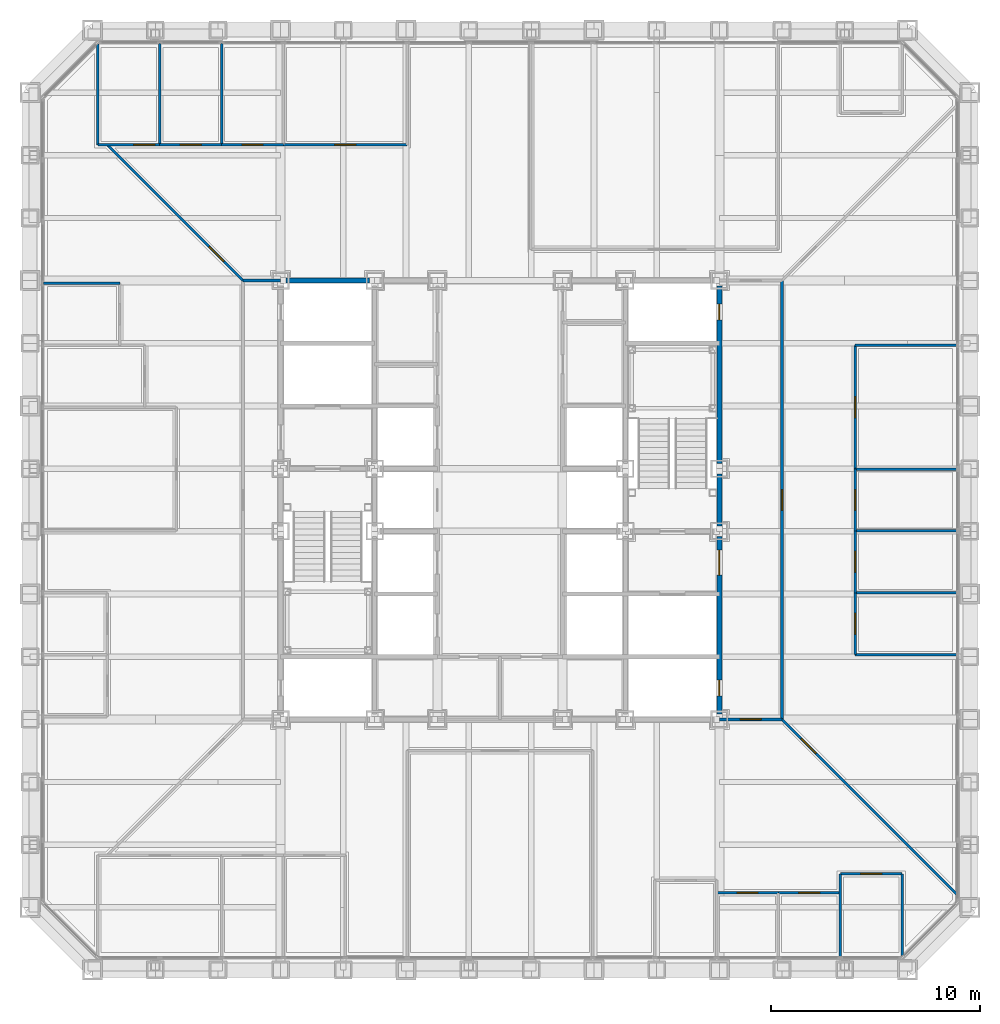
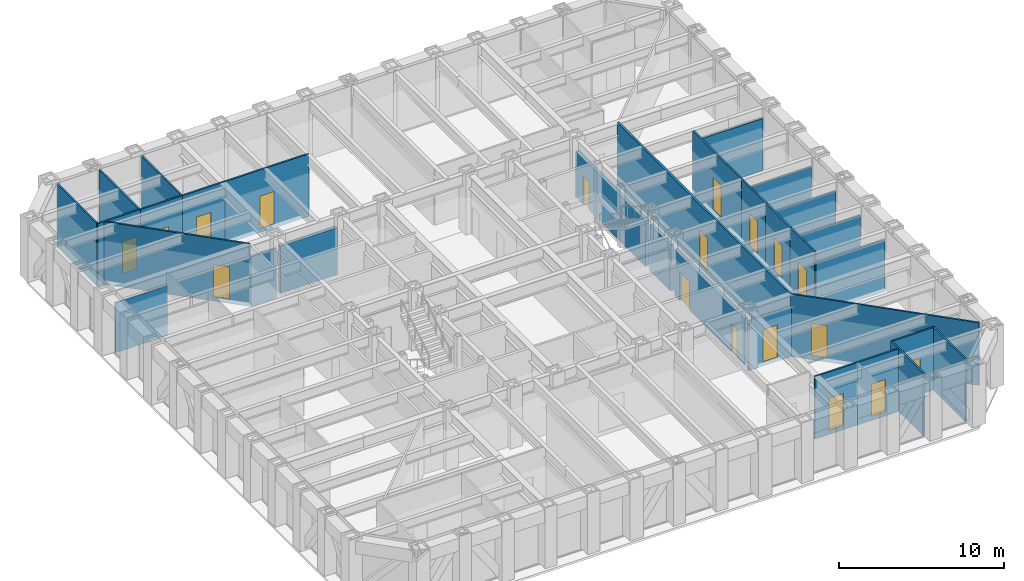
# One storey, part 10 of 17: 31 walls, 18 doors, 18 openings.
"""IFC4 building model written with IfcOpenShell, lengths in metres."""

from ifc_helpers import new_model, si_unit, direction, frame, frame_2d, origin, place, context, subcontext, project, spatial, rectangle, extrude, material, layer, layer_set, type_object, element, fill, save


model = new_model("IFC4")

# Units and contexts
model_context = context("Model", 3, precision=1e-05, world=origin(), true_north=direction((0.0, 1.0)))
body_context = subcontext(model_context, "Body", "Model", "MODEL_VIEW")
ifc_project = project(units=[si_unit("LENGTHUNIT", "METRE"), si_unit("AREAUNIT", "SQUARE_METRE"), si_unit("VOLUMEUNIT", "CUBIC_METRE"), si_unit("PLANEANGLEUNIT", "RADIAN"), si_unit("MASSUNIT", "GRAM", prefix="KILO")], contexts=[model_context])

# Site, building, storey
site_placement = place(None, origin())
site = spatial("IfcSite", under=ifc_project, at=site_placement, CompositionType="ELEMENT")
building_placement = place(site_placement, origin())
building = spatial("IfcBuilding", under=site, at=building_placement, Name="Chuquiago Exchange Tower", CompositionType="ELEMENT")
storey_placement = place(building_placement, frame((0.0, 0.0, 91.800048828125)))
storey = spatial("IfcBuildingStorey", under=building, at=storey_placement, Name="L19", CompositionType="ELEMENT", Elevation=91.800048828125)

# Wall
ifc_material_1 = material(Name="Concrete masonry, fully grouted", Category="masonry")
ifc_layer_1 = layer(ifc_material_1, 0.25)
ifc_layer_set_1 = layer_set([ifc_layer_1], Name="W1 core wall 250")
wall_type_1 = type_object("IfcWallType", Name="W1 core wall 250", PredefinedType="SOLIDWALL", material=ifc_layer_set_1)
wall_1_placement = place(storey_placement, frame((12.25, 33.0, 0.0), z_axis=(0.0, 0.0, 1.0), x_axis=(1.0, 0.0, 0.0)))
element("IfcWall", 1, at=wall_1_placement, inside=storey, type_object=wall_type_1, Name="CW-L19-11-0", PredefinedType="SOLIDWALL", context=body_context, shape_type="SweptSolid", body=[
    extrude(rectangle(XDim=4.0, YDim=0.25, at=frame_2d((2.0, 0.0))), origin(), (0.0, 0.0, 1.0), 3.4814453125),
])

# Wall, openings, doors
wall_2_placement = place(storey_placement, frame((33.0, 12.25, 0.0), z_axis=(0.0, 0.0, 1.0), x_axis=(0.0, 1.0, 0.0)))
wall_2 = element("IfcWall", 2, at=wall_2_placement, inside=storey, type_object=wall_type_1, Name="CW-L19-25-0", PredefinedType="SOLIDWALL", context=body_context, shape_type="SweptSolid", body=[
    extrude(rectangle(XDim=8.5, YDim=0.25, at=frame_2d((4.25, 0.0))), origin(), (0.0, 0.0, 1.0), 3.412841796875),
])
opening_1_placement = place(wall_2_placement, frame((6.64990234375, 0.0, 0.0)))
opening_1 = element("IfcOpeningElement", 3, at=opening_1_placement, cuts=wall_2, Name="Opening L19-004", PredefinedType="OPENING", context=body_context, shape_type="SweptSolid", body=[
    extrude(rectangle(XDim=1.199951171875, YDim=2.10009765625, at=frame_2d((0.60009765625, 1.050048828125))), frame((0.0, 0.135009765625, 0.0), z_axis=(0.0, -1.0, 0.0), x_axis=(1.0, 0.0, 0.0)), (0.0, 0.0, 1.0), 0.27001953125),
])
opening_2_placement = place(wall_2_placement, frame((0.875, 0.0, 0.0)))
opening_2 = element("IfcOpeningElement", 4, at=opening_2_placement, cuts=wall_2, Name="Opening L19-009", PredefinedType="OPENING", context=body_context, shape_type="SweptSolid", body=[
    extrude(rectangle(XDim=0.75, YDim=2.10009765625, at=frame_2d((0.375, 1.050048828125))), frame((0.0, 0.135009765625, 0.0), z_axis=(0.0, -1.0, 0.0), x_axis=(1.0, 0.0, 0.0)), (0.0, 0.0, 1.0), 0.27001953125),
])
ifc_material_2 = material(Name="Steel door, painted", Category="steel")
door_type_1 = type_object("IfcDoorType", Name="D5 firefighting lobby door 1200x2100", OperationType="SINGLE_SWING_LEFT", PredefinedType="DOOR", material=ifc_material_2)
door_1_placement = place(opening_1_placement, origin())
door_1 = element("IfcDoor", 5, at=door_1_placement, inside=storey, type_object=door_type_1, Name="Firefighting lobby 2 door", OperationType="SINGLE_SWING_RIGHT", OverallHeight=2.10009765625, OverallWidth=1.199951171875, PredefinedType="DOOR", context=body_context, shape_type="SweptSolid", body=[
    extrude(rectangle(XDim=1.199951171875, YDim=2.10009765625, at=frame_2d((0.60009765625, 1.050048828125))), frame((0.0, 0.02490234375, 0.0), z_axis=(0.0, -1.0, 0.0), x_axis=(1.0, 0.0, 0.0)), (0.0, 0.0, 1.0), 0.050048828125),
])
fill(opening_1, door_1)
ifc_material_3 = material(Name="Steel door, painted", Category="steel")
door_type_2 = type_object("IfcDoorType", Name="D6 riser access door 750x2100", OperationType="SINGLE_SWING_LEFT", PredefinedType="DOOR", material=ifc_material_3)
door_2_placement = place(opening_2_placement, frame((0.75, 0.0, 0.0), z_axis=(0.0, 0.0, 1.0), x_axis=(-1.0, 0.0, 0.0)))
door_2 = element("IfcDoor", 6, at=door_2_placement, inside=storey, type_object=door_type_2, Name="Riser RE1 door", OperationType="SINGLE_SWING_RIGHT", OverallHeight=2.10009765625, OverallWidth=0.75, PredefinedType="DOOR", context=body_context, shape_type="SweptSolid", body=[
    extrude(rectangle(XDim=0.75, YDim=2.10009765625, at=frame_2d((0.375, 1.050048828125))), frame((0.0, 0.02490234375, 0.0), z_axis=(0.0, -1.0, 0.0), x_axis=(1.0, 0.0, 0.0)), (0.0, 0.0, 1.0), 0.050048828125),
])
fill(opening_2, door_2)

# Wall
wall_3_placement = place(storey_placement, frame((33.0, 21.25, 0.0), z_axis=(0.0, 0.0, 1.0), x_axis=(0.0, 1.0, 0.0)))
element("IfcWall", 7, at=wall_3_placement, inside=storey, type_object=wall_type_1, Name="CW-L19-25-1", PredefinedType="SOLIDWALL", context=body_context, shape_type="SweptSolid", body=[
    extrude(rectangle(XDim=2.5, YDim=0.25, at=frame_2d((1.25, 0.0))), origin(), (0.0, 0.0, 1.0), 3.412841796875),
])

# Wall, opening, door
wall_4_placement = place(storey_placement, frame((33.0, 24.25, 0.0), z_axis=(0.0, 0.0, 1.0), x_axis=(0.0, 1.0, 0.0)))
wall_4 = element("IfcWall", 8, at=wall_4_placement, inside=storey, type_object=wall_type_1, Name="CW-L19-25-2", PredefinedType="SOLIDWALL", context=body_context, shape_type="SweptSolid", body=[
    extrude(rectangle(XDim=8.5, YDim=0.25, at=frame_2d((4.25, 0.0))), origin(), (0.0, 0.0, 1.0), 3.412841796875),
])
opening_3_placement = place(wall_4_placement, frame((6.875, 0.0, 0.0)))
opening_3 = element("IfcOpeningElement", 9, at=opening_3_placement, cuts=wall_4, Name="Opening L19-010", PredefinedType="OPENING", context=body_context, shape_type="SweptSolid", body=[
    extrude(rectangle(XDim=0.75, YDim=2.10009765625, at=frame_2d((0.375, 1.050048828125))), frame((0.0, 0.135009765625, 0.0), z_axis=(0.0, -1.0, 0.0), x_axis=(1.0, 0.0, 0.0)), (0.0, 0.0, 1.0), 0.27001953125),
])
door_3_placement = place(opening_3_placement, frame((0.75, 0.0, 0.0), z_axis=(0.0, 0.0, 1.0), x_axis=(-1.0, 0.0, 0.0)))
door_3 = element("IfcDoor", 10, at=door_3_placement, inside=storey, type_object=door_type_2, Name="Riser RE2 door", OperationType="SINGLE_SWING_LEFT", OverallHeight=2.10009765625, OverallWidth=0.75, PredefinedType="DOOR", context=body_context, shape_type="SweptSolid", body=[
    extrude(rectangle(XDim=0.75, YDim=2.10009765625, at=frame_2d((0.375, 1.050048828125))), frame((0.0, 0.02490234375, 0.0), z_axis=(0.0, -1.0, 0.0), x_axis=(1.0, 0.0, 0.0)), (0.0, 0.0, 1.0), 0.050048828125),
])
fill(opening_3, door_3)

# Wall
ifc_material_4 = material(Name="Gypsum board on steel studs, acoustic insulation", Category="steel")
ifc_layer_2 = layer(ifc_material_4, 0.14990234375)
ifc_layer_set_2 = layer_set([ifc_layer_2], Name="W11 corridor wall 150")
wall_type_2 = type_object("IfcWallType", Name="W11 corridor wall 150", PredefinedType="PARTITIONING", material=ifc_layer_set_2)
wall_5_placement = place(storey_placement, frame((10.199951171875, 33.0, -0.300048828125), z_axis=(0.0, 0.0, 1.0), x_axis=(1.0, 0.0, 0.0)))
element("IfcWall", 11, at=wall_5_placement, inside=storey, type_object=wall_type_2, Name="PW-L19-GWN0", PredefinedType="PARTITIONING", context=body_context, shape_type="SweptSolid", body=[
    extrude(rectangle(XDim=1.800048828125, YDim=0.14990234375, at=frame_2d((0.89990234375, 0.0))), origin(), (0.0, 0.0, 1.0), 3.692626953125),
])

# Wall, opening, door
wall_6_placement = place(storey_placement, frame((36.0, 12.0, -0.300048828125), z_axis=(0.0, 0.0, 1.0), x_axis=(0.0, 1.0, 0.0)))
wall_6 = element("IfcWall", 12, at=wall_6_placement, inside=storey, type_object=wall_type_2, Name="PW-L19-GE0", PredefinedType="PARTITIONING", context=body_context, shape_type="SweptSolid", body=[
    extrude(rectangle(XDim=21.0, YDim=0.14990234375, at=frame_2d((10.5, 0.0))), origin(), (0.0, 0.0, 1.0), 4.639892578125),
])
opening_4_placement = place(wall_6_placement, frame((10.0, 0.0, 0.300048828125)))
opening_4 = element("IfcOpeningElement", 13, at=opening_4_placement, cuts=wall_6, Name="Opening L19-045", PredefinedType="OPENING", context=body_context, shape_type="SweptSolid", body=[
    extrude(rectangle(XDim=1.0, YDim=2.39990234375, at=frame_2d((0.5, 1.199951171875))), frame((0.0, 0.0849609375, 0.0), z_axis=(0.0, -1.0, 0.0), x_axis=(1.0, 0.0, 0.0)), (0.0, 0.0, 1.0), 0.169921875),
])
ifc_material_5 = material(Name="Timber door, laminate faced", Category="wood")
door_type_3 = type_object("IfcDoorType", Name="D9 room door 1000x2400", OperationType="SINGLE_SWING_LEFT", PredefinedType="DOOR", material=ifc_material_5)
door_4_placement = place(opening_4_placement, frame((1.0, 0.0, 0.0), z_axis=(0.0, 0.0, 1.0), x_axis=(-1.0, 0.0, 0.0)))
door_4 = element("IfcDoor", 14, at=door_4_placement, inside=storey, type_object=door_type_3, Name="Team area door", OperationType="SINGLE_SWING_RIGHT", OverallHeight=2.39990234375, OverallWidth=1.0, PredefinedType="DOOR", context=body_context, shape_type="SweptSolid", body=[
    extrude(rectangle(XDim=1.0, YDim=2.39990234375, at=frame_2d((0.5, 1.199951171875))), frame((0.0, 0.02490234375, 0.0), z_axis=(0.0, -1.0, 0.0), x_axis=(1.0, 0.0, 0.0)), (0.0, 0.0, 1.0), 0.050048828125),
])
fill(opening_4, door_4)

wall_7_placement = place(storey_placement, frame((33.0, 12.0, -0.300048828125), z_axis=(0.0, 0.0, 1.0), x_axis=(1.0, 0.0, 0.0)))
wall_7 = element("IfcWall", 15, at=wall_7_placement, inside=storey, type_object=wall_type_2, Name="PW-L19-GES0", PredefinedType="PARTITIONING", context=body_context, shape_type="SweptSolid", body=[
    extrude(rectangle(XDim=3.0, YDim=0.14990234375, at=frame_2d((1.5, 0.0))), origin(), (0.0, 0.0, 1.0), 3.692626953125),
])
opening_5_placement = place(wall_7_placement, frame((1.0, 0.0, 0.300048828125)))
opening_5 = element("IfcOpeningElement", 16, at=opening_5_placement, cuts=wall_7, Name="Opening L19-047", PredefinedType="OPENING", context=body_context, shape_type="SweptSolid", body=[
    extrude(rectangle(XDim=1.0, YDim=2.39990234375, at=frame_2d((0.5, 1.199951171875))), frame((0.0, 0.0849609375, 0.0), z_axis=(0.0, -1.0, 0.0), x_axis=(1.0, 0.0, 0.0)), (0.0, 0.0, 1.0), 0.169921875),
])
door_5_placement = place(opening_5_placement, frame((1.0, 0.0, 0.0), z_axis=(0.0, 0.0, 1.0), x_axis=(-1.0, 0.0, 0.0)))
door_5 = element("IfcDoor", 17, at=door_5_placement, inside=storey, type_object=door_type_3, Name="Team area door", OperationType="SINGLE_SWING_RIGHT", OverallHeight=2.39990234375, OverallWidth=1.0, PredefinedType="DOOR", context=body_context, shape_type="SweptSolid", body=[
    extrude(rectangle(XDim=1.0, YDim=2.39990234375, at=frame_2d((0.5, 1.199951171875))), frame((0.0, 0.02490234375, 0.0), z_axis=(0.0, -1.0, 0.0), x_axis=(1.0, 0.0, 0.0)), (0.0, 0.0, 1.0), 0.050048828125),
])
fill(opening_5, door_5)

# Walls
ifc_material_6 = material(Name="Gypsum board on steel studs", Category="steel")
ifc_layer_3 = layer(ifc_material_6, 0.1201171875)
ifc_layer_set_3 = layer_set([ifc_layer_3], Name="W4 partition 120")
wall_type_3 = type_object("IfcWallType", Name="W4 partition 120", PredefinedType="PARTITIONING", material=ifc_layer_set_3)
wall_8_placement = place(storey_placement, frame((38.789794921875, 0.657470703125, -0.300048828125), z_axis=(0.0, 0.0, 1.0), x_axis=(0.0, 1.0, 0.0)))
element("IfcWall", 18, at=wall_8_placement, inside=storey, type_object=wall_type_3, Name="PW-L19-S03879", PredefinedType="PARTITIONING", context=body_context, shape_type="SweptSolid", body=[
    extrude(rectangle(XDim=3.942626953125, YDim=0.1201171875, at=frame_2d((1.97119140625, 0.0))), origin(), (0.0, 0.0, 1.0), 4.639892578125),
])
wall_9_placement = place(storey_placement, frame((41.75146484375, 0.666015625, -0.300048828125), z_axis=(0.0, 0.0, 1.0), x_axis=(0.0, 1.0, 0.0)))
element("IfcWall", 19, at=wall_9_placement, inside=storey, type_object=wall_type_3, Name="PW-L19-S04175", PredefinedType="PARTITIONING", context=body_context, shape_type="SweptSolid", body=[
    extrude(rectangle(XDim=3.93408203125, YDim=0.1201171875, at=frame_2d((1.967041015625, 0.0))), origin(), (0.0, 0.0, 1.0), 4.639892578125),
])

# Wall, opening, door
wall_10_placement = place(storey_placement, frame((32.8662109375, 3.699951171875, -0.300048828125), z_axis=(0.0, 0.0, 1.0), x_axis=(1.0, 0.0, 0.0)))
wall_10 = element("IfcWall", 20, at=wall_10_placement, inside=storey, type_object=wall_type_3, Name="PW-L19-SF03287", PredefinedType="PARTITIONING", context=body_context, shape_type="SweptSolid", body=[
    extrude(rectangle(XDim=2.961669921875, YDim=0.1201171875, at=frame_2d((1.48095703125, 0.0))), origin(), (0.0, 0.0, 1.0), 4.639892578125),
])
opening_6_placement = place(wall_10_placement, frame((0.98095703125, 0.0, 0.300048828125)))
opening_6 = element("IfcOpeningElement", 21, at=opening_6_placement, cuts=wall_10, Name="Opening L19-026", PredefinedType="OPENING", context=body_context, shape_type="SweptSolid", body=[
    extrude(rectangle(XDim=1.0, YDim=2.39990234375, at=frame_2d((0.5, 1.199951171875))), frame((0.0, 0.070068359375, 0.0), z_axis=(0.0, -1.0, 0.0), x_axis=(1.0, 0.0, 0.0)), (0.0, 0.0, 1.0), 0.14013671875),
])
ifc_material_7 = material(Name="Timber frame door, full height glazed panel", Category="wood")
door_type_4 = type_object("IfcDoorType", Name="D14 glazed meeting room door 1000x2400", OperationType="SINGLE_SWING_LEFT", PredefinedType="DOOR", material=ifc_material_7)
door_6_placement = place(opening_6_placement, frame((1.0, 0.0, 0.0), z_axis=(0.0, 0.0, 1.0), x_axis=(-1.0, 0.0, 0.0)))
door_6 = element("IfcDoor", 22, at=door_6_placement, inside=storey, type_object=door_type_4, Name="Focus room door", OperationType="SINGLE_SWING_LEFT", OverallHeight=2.39990234375, OverallWidth=1.0, PredefinedType="DOOR", context=body_context, shape_type="SweptSolid", body=[
    extrude(rectangle(XDim=1.0, YDim=2.39990234375, at=frame_2d((0.5, 1.199951171875))), frame((0.0, 0.02490234375, 0.0), z_axis=(0.0, -1.0, 0.0), x_axis=(1.0, 0.0, 0.0)), (0.0, 0.0, 1.0), 0.050048828125),
])
fill(opening_6, door_6)

wall_11_placement = place(storey_placement, frame((35.827880859375, 3.699951171875, -0.300048828125), z_axis=(0.0, 0.0, 1.0), x_axis=(1.0, 0.0, 0.0)))
wall_11 = element("IfcWall", 23, at=wall_11_placement, inside=storey, type_object=wall_type_3, Name="PW-L19-SF03583", PredefinedType="PARTITIONING", context=body_context, shape_type="SweptSolid", body=[
    extrude(rectangle(XDim=2.9619140625, YDim=0.1201171875, at=frame_2d((1.48095703125, 0.0))), origin(), (0.0, 0.0, 1.0), 4.639892578125),
])
opening_7_placement = place(wall_11_placement, frame((0.98095703125, 0.0, 0.300048828125)))
opening_7 = element("IfcOpeningElement", 24, at=opening_7_placement, cuts=wall_11, Name="Opening L19-027", PredefinedType="OPENING", context=body_context, shape_type="SweptSolid", body=[
    extrude(rectangle(XDim=1.0, YDim=2.39990234375, at=frame_2d((0.5, 1.199951171875))), frame((0.0, 0.070068359375, 0.0), z_axis=(0.0, -1.0, 0.0), x_axis=(1.0, 0.0, 0.0)), (0.0, 0.0, 1.0), 0.14013671875),
])
door_7_placement = place(opening_7_placement, frame((1.0, 0.0, 0.0), z_axis=(0.0, 0.0, 1.0), x_axis=(-1.0, 0.0, 0.0)))
door_7 = element("IfcDoor", 25, at=door_7_placement, inside=storey, type_object=door_type_4, Name="Focus room door", OperationType="SINGLE_SWING_RIGHT", OverallHeight=2.39990234375, OverallWidth=1.0, PredefinedType="DOOR", context=body_context, shape_type="SweptSolid", body=[
    extrude(rectangle(XDim=1.0, YDim=2.39990234375, at=frame_2d((0.5, 1.199951171875))), frame((0.0, 0.02490234375, 0.0), z_axis=(0.0, -1.0, 0.0), x_axis=(1.0, 0.0, 0.0)), (0.0, 0.0, 1.0), 0.050048828125),
])
fill(opening_7, door_7)

wall_12_placement = place(storey_placement, frame((38.789794921875, 4.60009765625, -0.300048828125), z_axis=(0.0, 0.0, 1.0), x_axis=(1.0, 0.0, 0.0)))
wall_12 = element("IfcWall", 26, at=wall_12_placement, inside=storey, type_object=wall_type_3, Name="PW-L19-SF03879", PredefinedType="PARTITIONING", context=body_context, shape_type="SweptSolid", body=[
    extrude(rectangle(XDim=2.961669921875, YDim=0.1201171875, at=frame_2d((1.48095703125, 0.0))), origin(), (0.0, 0.0, 1.0), 4.639892578125),
])
opening_8_placement = place(wall_12_placement, frame((0.98095703125, 0.0, 0.300048828125)))
opening_8 = element("IfcOpeningElement", 27, at=opening_8_placement, cuts=wall_12, Name="Opening L19-028", PredefinedType="OPENING", context=body_context, shape_type="SweptSolid", body=[
    extrude(rectangle(XDim=1.0, YDim=2.39990234375, at=frame_2d((0.5, 1.199951171875))), frame((0.0, 0.070068359375, 0.0), z_axis=(0.0, -1.0, 0.0), x_axis=(1.0, 0.0, 0.0)), (0.0, 0.0, 1.0), 0.14013671875),
])
door_8_placement = place(opening_8_placement, frame((1.0, 0.0, 0.0), z_axis=(0.0, 0.0, 1.0), x_axis=(-1.0, 0.0, 0.0)))
door_8 = element("IfcDoor", 28, at=door_8_placement, inside=storey, type_object=door_type_3, Name="Comms room door", OperationType="SINGLE_SWING_LEFT", OverallHeight=2.39990234375, OverallWidth=1.0, PredefinedType="DOOR", context=body_context, shape_type="SweptSolid", body=[
    extrude(rectangle(XDim=1.0, YDim=2.39990234375, at=frame_2d((0.5, 1.199951171875))), frame((0.0, 0.02490234375, 0.0), z_axis=(0.0, -1.0, 0.0), x_axis=(1.0, 0.0, 0.0)), (0.0, 0.0, 1.0), 0.050048828125),
])
fill(opening_8, door_8)

# Walls
for number, where, z_axis, x_axis, name in (
    (29, (44.342529296875, 15.095703125, -0.300048828125), (0.0, 0.0, 1.0), (-1.0, 0.0, 0.0), "PW-L19-E01510"),
    (30, (44.342529296875, 18.057373046875, -0.300048828125), (0.0, 0.0, 1.0), (-1.0, 0.0, 0.0), "PW-L19-E01806"),
    (31, (44.342529296875, 21.01904296875, -0.300048828125), (0.0, 0.0, 1.0), (-1.0, 0.0, 0.0), "PW-L19-E02102"),
    (32, (44.342529296875, 23.98095703125, -0.300048828125), (0.0, 0.0, 1.0), (-1.0, 0.0, 0.0), "PW-L19-E02398"),
    (33, (44.342529296875, 29.904296875, -0.300048828125), (0.0, 0.0, 1.0), (-1.0, 0.0, 0.0), "PW-L19-E02990"),
):
    element("IfcWall", number, at=place(storey_placement, frame(where, z_axis=z_axis, x_axis=x_axis)), inside=storey, type_object=wall_type_3, Name=name, PredefinedType="PARTITIONING", context=body_context, shape_type="SweptSolid", body=[
        extrude(rectangle(XDim=4.842529296875, YDim=0.1201171875, at=frame_2d((2.42138671875, 0.0))), origin(), (0.0, 0.0, 1.0), 3.8779296875),
    ])

# Wall, opening, door
wall_13_placement = place(storey_placement, frame((39.5, 15.095703125, -0.300048828125), z_axis=(0.0, 0.0, 1.0), x_axis=(0.0, 1.0, 0.0)))
wall_13 = element("IfcWall", 34, at=wall_13_placement, inside=storey, type_object=wall_type_3, Name="PW-L19-EF01510", PredefinedType="PARTITIONING", context=body_context, shape_type="SweptSolid", body=[
    extrude(rectangle(XDim=2.961669921875, YDim=0.1201171875, at=frame_2d((1.48095703125, 0.0))), origin(), (0.0, 0.0, 1.0), 4.639892578125),
])
opening_9_placement = place(wall_13_placement, frame((0.98095703125, 0.0, 0.300048828125)))
opening_9 = element("IfcOpeningElement", 35, at=opening_9_placement, cuts=wall_13, Name="Opening L19-029", PredefinedType="OPENING", context=body_context, shape_type="SweptSolid", body=[
    extrude(rectangle(XDim=1.0, YDim=2.39990234375, at=frame_2d((0.5, 1.199951171875))), frame((0.0, 0.070068359375, 0.0), z_axis=(0.0, -1.0, 0.0), x_axis=(1.0, 0.0, 0.0)), (0.0, 0.0, 1.0), 0.14013671875),
])
door_9_placement = place(opening_9_placement, frame((1.0, 0.0, 0.0), z_axis=(0.0, 0.0, 1.0), x_axis=(-1.0, 0.0, 0.0)))
door_9 = element("IfcDoor", 36, at=door_9_placement, inside=storey, type_object=door_type_3, Name="Office door", OperationType="SINGLE_SWING_RIGHT", OverallHeight=2.39990234375, OverallWidth=1.0, PredefinedType="DOOR", context=body_context, shape_type="SweptSolid", body=[
    extrude(rectangle(XDim=1.0, YDim=2.39990234375, at=frame_2d((0.5, 1.199951171875))), frame((0.0, 0.02490234375, 0.0), z_axis=(0.0, -1.0, 0.0), x_axis=(1.0, 0.0, 0.0)), (0.0, 0.0, 1.0), 0.050048828125),
])
fill(opening_9, door_9)

wall_14_placement = place(storey_placement, frame((39.5, 18.057373046875, -0.300048828125), z_axis=(0.0, 0.0, 1.0), x_axis=(0.0, 1.0, 0.0)))
wall_14 = element("IfcWall", 37, at=wall_14_placement, inside=storey, type_object=wall_type_3, Name="PW-L19-EF01806", PredefinedType="PARTITIONING", context=body_context, shape_type="SweptSolid", body=[
    extrude(rectangle(XDim=2.961669921875, YDim=0.1201171875, at=frame_2d((1.48095703125, 0.0))), origin(), (0.0, 0.0, 1.0), 4.639892578125),
])
opening_10_placement = place(wall_14_placement, frame((0.98095703125, 0.0, 0.300048828125)))
opening_10 = element("IfcOpeningElement", 38, at=opening_10_placement, cuts=wall_14, Name="Opening L19-030", PredefinedType="OPENING", context=body_context, shape_type="SweptSolid", body=[
    extrude(rectangle(XDim=1.0, YDim=2.39990234375, at=frame_2d((0.5, 1.199951171875))), frame((0.0, 0.070068359375, 0.0), z_axis=(0.0, -1.0, 0.0), x_axis=(1.0, 0.0, 0.0)), (0.0, 0.0, 1.0), 0.14013671875),
])
door_10_placement = place(opening_10_placement, frame((1.0, 0.0, 0.0), z_axis=(0.0, 0.0, 1.0), x_axis=(-1.0, 0.0, 0.0)))
door_10 = element("IfcDoor", 39, at=door_10_placement, inside=storey, type_object=door_type_3, Name="Office door", OperationType="SINGLE_SWING_LEFT", OverallHeight=2.39990234375, OverallWidth=1.0, PredefinedType="DOOR", context=body_context, shape_type="SweptSolid", body=[
    extrude(rectangle(XDim=1.0, YDim=2.39990234375, at=frame_2d((0.5, 1.199951171875))), frame((0.0, 0.02490234375, 0.0), z_axis=(0.0, -1.0, 0.0), x_axis=(1.0, 0.0, 0.0)), (0.0, 0.0, 1.0), 0.050048828125),
])
fill(opening_10, door_10)

wall_15_placement = place(storey_placement, frame((39.5, 21.01904296875, -0.300048828125), z_axis=(0.0, 0.0, 1.0), x_axis=(0.0, 1.0, 0.0)))
wall_15 = element("IfcWall", 40, at=wall_15_placement, inside=storey, type_object=wall_type_3, Name="PW-L19-EF02102", PredefinedType="PARTITIONING", context=body_context, shape_type="SweptSolid", body=[
    extrude(rectangle(XDim=2.9619140625, YDim=0.1201171875, at=frame_2d((1.48095703125, 0.0))), origin(), (0.0, 0.0, 1.0), 4.639892578125),
])
opening_11_placement = place(wall_15_placement, frame((0.98095703125, 0.0, 0.300048828125)))
opening_11 = element("IfcOpeningElement", 41, at=opening_11_placement, cuts=wall_15, Name="Opening L19-031", PredefinedType="OPENING", context=body_context, shape_type="SweptSolid", body=[
    extrude(rectangle(XDim=1.0, YDim=2.39990234375, at=frame_2d((0.5, 1.199951171875))), frame((0.0, 0.070068359375, 0.0), z_axis=(0.0, -1.0, 0.0), x_axis=(1.0, 0.0, 0.0)), (0.0, 0.0, 1.0), 0.14013671875),
])
door_11_placement = place(opening_11_placement, frame((1.0, 0.0, 0.0), z_axis=(0.0, 0.0, 1.0), x_axis=(-1.0, 0.0, 0.0)))
door_11 = element("IfcDoor", 42, at=door_11_placement, inside=storey, type_object=door_type_3, Name="Office door", OperationType="SINGLE_SWING_LEFT", OverallHeight=2.39990234375, OverallWidth=1.0, PredefinedType="DOOR", context=body_context, shape_type="SweptSolid", body=[
    extrude(rectangle(XDim=1.0, YDim=2.39990234375, at=frame_2d((0.5, 1.199951171875))), frame((0.0, 0.02490234375, 0.0), z_axis=(0.0, -1.0, 0.0), x_axis=(1.0, 0.0, 0.0)), (0.0, 0.0, 1.0), 0.050048828125),
])
fill(opening_11, door_11)

wall_16_placement = place(storey_placement, frame((39.5, 23.98095703125, -0.300048828125), z_axis=(0.0, 0.0, 1.0), x_axis=(0.0, 1.0, 0.0)))
wall_16 = element("IfcWall", 43, at=wall_16_placement, inside=storey, type_object=wall_type_3, Name="PW-L19-EF02398", PredefinedType="PARTITIONING", context=body_context, shape_type="SweptSolid", body=[
    extrude(rectangle(XDim=5.92333984375, YDim=0.1201171875, at=frame_2d((2.961669921875, 0.0))), origin(), (0.0, 0.0, 1.0), 4.639892578125),
])
opening_12_placement = place(wall_16_placement, frame((2.4619140625, 0.0, 0.300048828125)))
opening_12 = element("IfcOpeningElement", 44, at=opening_12_placement, cuts=wall_16, Name="Opening L19-032", PredefinedType="OPENING", context=body_context, shape_type="SweptSolid", body=[
    extrude(rectangle(XDim=1.0, YDim=2.39990234375, at=frame_2d((0.5, 1.199951171875))), frame((0.0, 0.070068359375, 0.0), z_axis=(0.0, -1.0, 0.0), x_axis=(1.0, 0.0, 0.0)), (0.0, 0.0, 1.0), 0.14013671875),
])
door_12_placement = place(opening_12_placement, frame((1.0, 0.0, 0.0), z_axis=(0.0, 0.0, 1.0), x_axis=(-1.0, 0.0, 0.0)))
door_12 = element("IfcDoor", 45, at=door_12_placement, inside=storey, type_object=door_type_4, Name="Meeting room door", OperationType="SINGLE_SWING_LEFT", OverallHeight=2.39990234375, OverallWidth=1.0, PredefinedType="DOOR", context=body_context, shape_type="SweptSolid", body=[
    extrude(rectangle(XDim=1.0, YDim=2.39990234375, at=frame_2d((0.5, 1.199951171875))), frame((0.0, 0.02490234375, 0.0), z_axis=(0.0, -1.0, 0.0), x_axis=(1.0, 0.0, 0.0)), (0.0, 0.0, 1.0), 0.050048828125),
])
fill(opening_12, door_12)

# Walls
wall_17_placement = place(storey_placement, frame((3.24853515625, 44.333984375, -0.300048828125), z_axis=(0.0, 0.0, 1.0), x_axis=(0.0, -1.0, 0.0)))
element("IfcWall", 46, at=wall_17_placement, inside=storey, type_object=wall_type_3, Name="PW-L19-N00325", PredefinedType="PARTITIONING", context=body_context, shape_type="SweptSolid", body=[
    extrude(rectangle(XDim=4.833984375, YDim=0.1201171875, at=frame_2d((2.4169921875, 0.0))), origin(), (0.0, 0.0, 1.0), 4.639892578125),
])
for number, where, z_axis, x_axis, name in (
    (47, (6.210205078125, 44.342529296875, -0.300048828125), (0.0, 0.0, 1.0), (0.0, -1.0, 0.0), "PW-L19-N00621"),
    (48, (9.172119140625, 44.342529296875, -0.300048828125), (0.0, 0.0, 1.0), (0.0, -1.0, 0.0), "PW-L19-N00917"),
):
    element("IfcWall", number, at=place(storey_placement, frame(where, z_axis=z_axis, x_axis=x_axis)), inside=storey, type_object=wall_type_3, Name=name, PredefinedType="PARTITIONING", context=body_context, shape_type="SweptSolid", body=[
        extrude(rectangle(XDim=4.842529296875, YDim=0.1201171875, at=frame_2d((2.42138671875, 0.0))), origin(), (0.0, 0.0, 1.0), 4.639892578125),
    ])

# Wall, opening, door
wall_18_placement = place(storey_placement, frame((3.24853515625, 39.5, -0.300048828125), z_axis=(0.0, 0.0, 1.0), x_axis=(1.0, 0.0, 0.0)))
wall_18 = element("IfcWall", 49, at=wall_18_placement, inside=storey, type_object=wall_type_3, Name="PW-L19-NF00325", PredefinedType="PARTITIONING", context=body_context, shape_type="SweptSolid", body=[
    extrude(rectangle(XDim=2.961669921875, YDim=0.1201171875, at=frame_2d((1.48095703125, 0.0))), origin(), (0.0, 0.0, 1.0), 4.639892578125),
])
opening_13_placement = place(wall_18_placement, frame((1.721435546875, 0.0, 0.300048828125)))
opening_13 = element("IfcOpeningElement", 50, at=opening_13_placement, cuts=wall_18, Name="Opening L19-033", PredefinedType="OPENING", context=body_context, shape_type="SweptSolid", body=[
    extrude(rectangle(XDim=1.0, YDim=2.39990234375, at=frame_2d((0.5, 1.199951171875))), frame((0.0, 0.070068359375, 0.0), z_axis=(0.0, -1.0, 0.0), x_axis=(1.0, 0.0, 0.0)), (0.0, 0.0, 1.0), 0.14013671875),
])
door_13_placement = place(opening_13_placement, origin())
door_13 = element("IfcDoor", 51, at=door_13_placement, inside=storey, type_object=door_type_3, Name="Office door", OperationType="SINGLE_SWING_RIGHT", OverallHeight=2.39990234375, OverallWidth=1.0, PredefinedType="DOOR", context=body_context, shape_type="SweptSolid", body=[
    extrude(rectangle(XDim=1.0, YDim=2.39990234375, at=frame_2d((0.5, 1.199951171875))), frame((0.0, 0.02490234375, 0.0), z_axis=(0.0, -1.0, 0.0), x_axis=(1.0, 0.0, 0.0)), (0.0, 0.0, 1.0), 0.050048828125),
])
fill(opening_13, door_13)

wall_19_placement = place(storey_placement, frame((6.210205078125, 39.5, -0.300048828125), z_axis=(0.0, 0.0, 1.0), x_axis=(1.0, 0.0, 0.0)))
wall_19 = element("IfcWall", 52, at=wall_19_placement, inside=storey, type_object=wall_type_3, Name="PW-L19-NF00621", PredefinedType="PARTITIONING", context=body_context, shape_type="SweptSolid", body=[
    extrude(rectangle(XDim=2.9619140625, YDim=0.1201171875, at=frame_2d((1.48095703125, 0.0))), origin(), (0.0, 0.0, 1.0), 4.639892578125),
])
opening_14_placement = place(wall_19_placement, frame((0.98095703125, 0.0, 0.300048828125)))
opening_14 = element("IfcOpeningElement", 53, at=opening_14_placement, cuts=wall_19, Name="Opening L19-034", PredefinedType="OPENING", context=body_context, shape_type="SweptSolid", body=[
    extrude(rectangle(XDim=1.0, YDim=2.39990234375, at=frame_2d((0.5, 1.199951171875))), frame((0.0, 0.070068359375, 0.0), z_axis=(0.0, -1.0, 0.0), x_axis=(1.0, 0.0, 0.0)), (0.0, 0.0, 1.0), 0.14013671875),
])
door_14_placement = place(opening_14_placement, origin())
door_14 = element("IfcDoor", 54, at=door_14_placement, inside=storey, type_object=door_type_3, Name="Office door", OperationType="SINGLE_SWING_LEFT", OverallHeight=2.39990234375, OverallWidth=1.0, PredefinedType="DOOR", context=body_context, shape_type="SweptSolid", body=[
    extrude(rectangle(XDim=1.0, YDim=2.39990234375, at=frame_2d((0.5, 1.199951171875))), frame((0.0, 0.02490234375, 0.0), z_axis=(0.0, -1.0, 0.0), x_axis=(1.0, 0.0, 0.0)), (0.0, 0.0, 1.0), 0.050048828125),
])
fill(opening_14, door_14)

wall_20_placement = place(storey_placement, frame((9.172119140625, 39.5, -0.300048828125), z_axis=(0.0, 0.0, 1.0), x_axis=(1.0, 0.0, 0.0)))
wall_20 = element("IfcWall", 55, at=wall_20_placement, inside=storey, type_object=wall_type_3, Name="PW-L19-NF00917", PredefinedType="PARTITIONING", context=body_context, shape_type="SweptSolid", body=[
    extrude(rectangle(XDim=2.961669921875, YDim=0.1201171875, at=frame_2d((1.48095703125, 0.0))), origin(), (0.0, 0.0, 1.0), 4.639892578125),
])
opening_15_placement = place(wall_20_placement, frame((0.98095703125, 0.0, 0.300048828125)))
opening_15 = element("IfcOpeningElement", 56, at=opening_15_placement, cuts=wall_20, Name="Opening L19-035", PredefinedType="OPENING", context=body_context, shape_type="SweptSolid", body=[
    extrude(rectangle(XDim=1.0, YDim=2.39990234375, at=frame_2d((0.5, 1.199951171875))), frame((0.0, 0.070068359375, 0.0), z_axis=(0.0, -1.0, 0.0), x_axis=(1.0, 0.0, 0.0)), (0.0, 0.0, 1.0), 0.14013671875),
])
door_15_placement = place(opening_15_placement, origin())
door_15 = element("IfcDoor", 57, at=door_15_placement, inside=storey, type_object=door_type_3, Name="Office door", OperationType="SINGLE_SWING_RIGHT", OverallHeight=2.39990234375, OverallWidth=1.0, PredefinedType="DOOR", context=body_context, shape_type="SweptSolid", body=[
    extrude(rectangle(XDim=1.0, YDim=2.39990234375, at=frame_2d((0.5, 1.199951171875))), frame((0.0, 0.02490234375, 0.0), z_axis=(0.0, -1.0, 0.0), x_axis=(1.0, 0.0, 0.0)), (0.0, 0.0, 1.0), 0.050048828125),
])
fill(opening_15, door_15)

wall_21_placement = place(storey_placement, frame((12.1337890625, 39.5, -0.300048828125), z_axis=(0.0, 0.0, 1.0), x_axis=(1.0, 0.0, 0.0)))
wall_21 = element("IfcWall", 58, at=wall_21_placement, inside=storey, type_object=wall_type_3, Name="PW-L19-NF01213", PredefinedType="PARTITIONING", context=body_context, shape_type="SweptSolid", body=[
    extrude(rectangle(XDim=5.923583984375, YDim=0.1201171875, at=frame_2d((2.9619140625, 0.0))), origin(), (0.0, 0.0, 1.0), 4.639892578125),
])
opening_16_placement = place(wall_21_placement, frame((2.4619140625, 0.0, 0.300048828125)))
opening_16 = element("IfcOpeningElement", 59, at=opening_16_placement, cuts=wall_21, Name="Opening L19-036", PredefinedType="OPENING", context=body_context, shape_type="SweptSolid", body=[
    extrude(rectangle(XDim=1.0, YDim=2.39990234375, at=frame_2d((0.5, 1.199951171875))), frame((0.0, 0.070068359375, 0.0), z_axis=(0.0, -1.0, 0.0), x_axis=(1.0, 0.0, 0.0)), (0.0, 0.0, 1.0), 0.14013671875),
])
door_16_placement = place(opening_16_placement, origin())
door_16 = element("IfcDoor", 60, at=door_16_placement, inside=storey, type_object=door_type_4, Name="Meeting room door", OperationType="SINGLE_SWING_LEFT", OverallHeight=2.39990234375, OverallWidth=1.0, PredefinedType="DOOR", context=body_context, shape_type="SweptSolid", body=[
    extrude(rectangle(XDim=1.0, YDim=2.39990234375, at=frame_2d((0.5, 1.199951171875))), frame((0.0, 0.02490234375, 0.0), z_axis=(0.0, -1.0, 0.0), x_axis=(1.0, 0.0, 0.0)), (0.0, 0.0, 1.0), 0.050048828125),
])
fill(opening_16, door_16)

# Wall
wall_22_placement = place(storey_placement, frame((0.657470703125, 32.8662109375, -0.300048828125), z_axis=(0.0, 0.0, 1.0), x_axis=(1.0, 0.0, 0.0)))
element("IfcWall", 61, at=wall_22_placement, inside=storey, type_object=wall_type_3, Name="PW-L19-W03287", PredefinedType="PARTITIONING", context=body_context, shape_type="SweptSolid", body=[
    extrude(rectangle(XDim=3.642578125, YDim=0.1201171875, at=frame_2d((1.8212890625, 0.0))), origin(), (0.0, 0.0, 1.0), 3.692626953125),
])

# Wall, opening, door
wall_23_placement = place(storey_placement, frame((10.199951171875, 33.0, -0.300048828125), z_axis=(0.0, 0.0, 1.0), x_axis=(-0.707106781187, 0.707106781187, 0.0)))
wall_23 = element("IfcWall", 62, at=wall_23_placement, inside=storey, type_object=wall_type_3, Name="PW-L19-QNW", PredefinedType="PARTITIONING", context=body_context, shape_type="SweptSolid", body=[
    extrude(rectangle(XDim=9.19384765625, YDim=0.1201171875, at=frame_2d((4.596923828125, 0.0))), origin(), (0.0, 0.0, 1.0), 4.639892578125),
])
opening_17_placement = place(wall_23_placement, frame((1.300048828125, 0.0, 0.300048828125)))
opening_17 = element("IfcOpeningElement", 63, at=opening_17_placement, cuts=wall_23, Name="Opening L19-049", PredefinedType="OPENING", context=body_context, shape_type="SweptSolid", body=[
    extrude(rectangle(XDim=1.0, YDim=2.39990234375, at=frame_2d((0.5, 1.199951171875))), frame((0.0, 0.070068359375, 0.0), z_axis=(0.0, -1.0, 0.0), x_axis=(1.0, 0.0, 0.0)), (0.0, 0.0, 1.0), 0.14013671875),
])
door_17_placement = place(opening_17_placement, frame((1.0, 0.0, 0.0), z_axis=(0.0, 0.0, 1.0), x_axis=(-1.0, 0.0, 0.0)))
door_17 = element("IfcDoor", 64, at=door_17_placement, inside=storey, type_object=door_type_3, Name="Team area door", OperationType="SINGLE_SWING_RIGHT", OverallHeight=2.39990234375, OverallWidth=1.0, PredefinedType="DOOR", context=body_context, shape_type="SweptSolid", body=[
    extrude(rectangle(XDim=1.0, YDim=2.39990234375, at=frame_2d((0.5, 1.199951171875))), frame((0.0, 0.02490234375, 0.0), z_axis=(0.0, -1.0, 0.0), x_axis=(1.0, 0.0, 0.0)), (0.0, 0.0, 1.0), 0.050048828125),
])
fill(opening_17, door_17)

wall_24_placement = place(storey_placement, frame((36.0, 12.0, -0.300048828125), z_axis=(0.0, 0.0, 1.0), x_axis=(0.707106781187, -0.707106781187, 0.0)))
wall_24 = element("IfcWall", 65, at=wall_24_placement, inside=storey, type_object=wall_type_3, Name="PW-L19-QSE", PredefinedType="PARTITIONING", context=body_context, shape_type="SweptSolid", body=[
    extrude(rectangle(XDim=11.84228515625, YDim=0.1201171875, at=frame_2d((5.921142578125, 0.0))), origin(), (0.0, 0.0, 1.0), 4.639892578125),
])
opening_18_placement = place(wall_24_placement, frame((1.300048828125, 0.0, 0.300048828125)))
opening_18 = element("IfcOpeningElement", 66, at=opening_18_placement, cuts=wall_24, Name="Opening L19-051", PredefinedType="OPENING", context=body_context, shape_type="SweptSolid", body=[
    extrude(rectangle(XDim=1.0, YDim=2.39990234375, at=frame_2d((0.5, 1.199951171875))), frame((0.0, 0.070068359375, 0.0), z_axis=(0.0, -1.0, 0.0), x_axis=(1.0, 0.0, 0.0)), (0.0, 0.0, 1.0), 0.14013671875),
])
door_18_placement = place(opening_18_placement, origin())
door_18 = element("IfcDoor", 67, at=door_18_placement, inside=storey, type_object=door_type_3, Name="Team area door", OperationType="SINGLE_SWING_LEFT", OverallHeight=2.39990234375, OverallWidth=1.0, PredefinedType="DOOR", context=body_context, shape_type="SweptSolid", body=[
    extrude(rectangle(XDim=1.0, YDim=2.39990234375, at=frame_2d((0.5, 1.199951171875))), frame((0.0, 0.02490234375, 0.0), z_axis=(0.0, -1.0, 0.0), x_axis=(1.0, 0.0, 0.0)), (0.0, 0.0, 1.0), 0.050048828125),
])
fill(opening_18, door_18)

save(model, "model.ifc")
